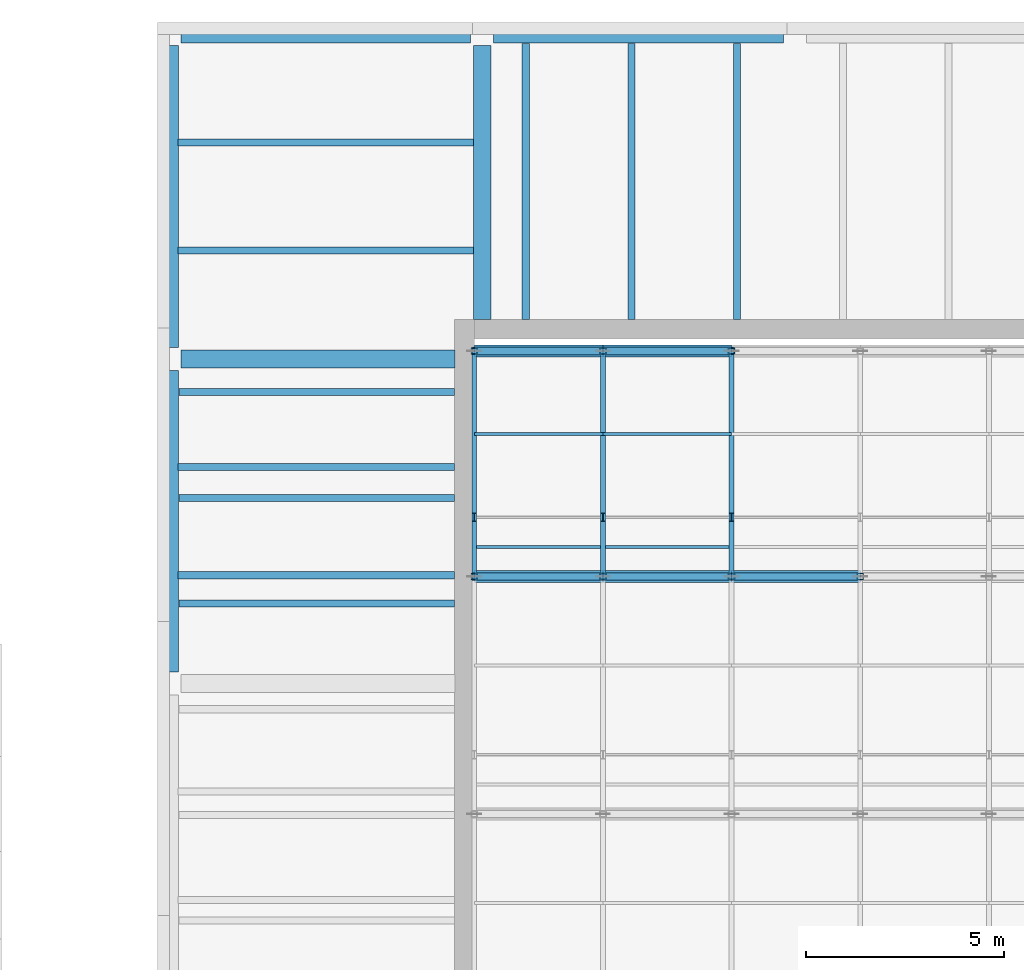
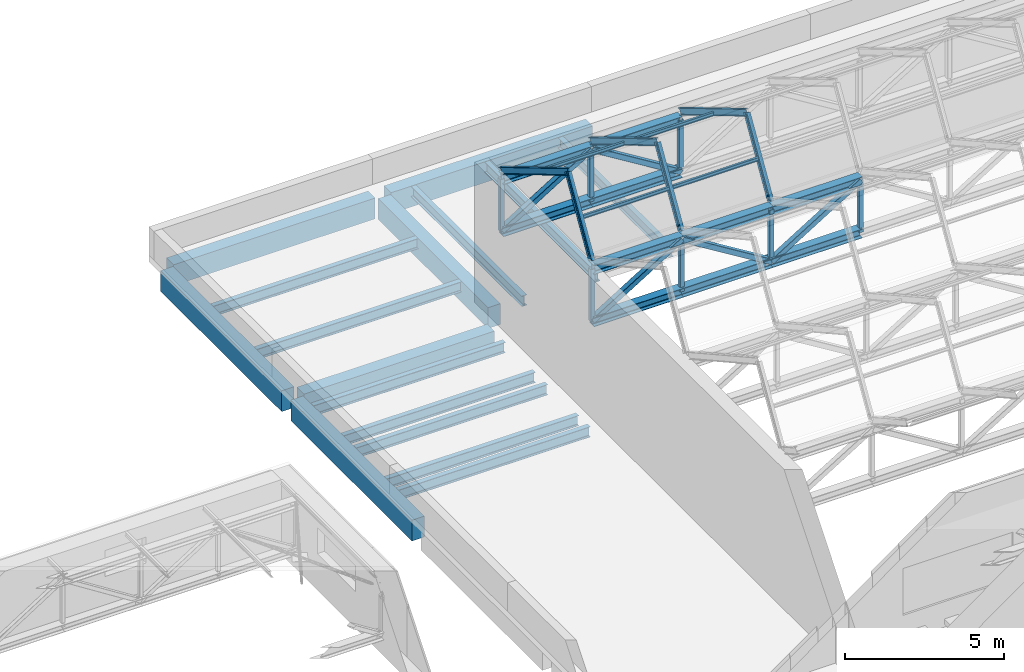
# One storey, part 53 of 132: 32 members, 16 beams.
"""IFC4 building model written with IfcOpenShell, lengths in metres."""

from ifc_helpers import new_model, si_unit, direction, frame, origin, origin_2d, place, context, subcontext, project, spatial, rectangle, hollow_rectangle, i_section, extrude, material, material_profile, profile_set, type_object, element, save


model = new_model("IFC4")

# Units and contexts
model_context = context("Model", 3, precision=1e-05, world=origin(), true_north=direction((0.0, 1.0)))
body_context = subcontext(model_context, "Body", "Model", "MODEL_VIEW")
ifc_project = project(units=[si_unit("LENGTHUNIT", "METRE"), si_unit("AREAUNIT", "SQUARE_METRE"), si_unit("VOLUMEUNIT", "CUBIC_METRE"), si_unit("PLANEANGLEUNIT", "RADIAN"), si_unit("MASSUNIT", "GRAM", prefix="KILO")], contexts=[model_context])

# Site, building, storey
site_placement = place(None, origin())
site = spatial("IfcSite", under=ifc_project, at=site_placement, CompositionType="ELEMENT")
building_placement = place(site_placement, origin())
building = spatial("IfcBuilding", under=site, at=building_placement, Name="Lunette Opera House", CompositionType="ELEMENT")
storey_placement = place(building_placement, frame((0.0, 0.0, 17.0)))
storey = spatial("IfcBuildingStorey", under=building, at=storey_placement, Name="L03", CompositionType="ELEMENT", Elevation=17.0)

# Members
ifc_material_1 = material(Name="Steel S355", Category="steel")
ifc_material_profile_1 = material_profile(ifc_material_1, i_section(OverallWidth=0.300048828125, OverallDepth=0.35009765625, WebThickness=0.010009765625, FlangeThickness=0.017578125, FilletRadius=0.027099609375, at=origin_2d()), Name="HEA 360")
ifc_profile_set_1 = profile_set([ifc_material_profile_1], Name="Steel S355")
member_type_1 = type_object("IfcMemberType", Name="CHORD HEA 360", PredefinedType="CHORD", material=ifc_profile_set_1)
for number, where, z_axis, x_axis, name in (
    (1, (144.0, 122.0, 5.205078125), (1.0, 0.0, 0.0), (0.0, 1.0, 0.0), "mem-WW-L03-WW-TR04-TC1"),
    (2, (144.0, 122.0, 3.205078125), (1.0, 0.0, 0.0), (0.0, 1.0, 0.0), "mem-WW-L03-WW-TR04-BC1"),
    (3, (147.25, 122.0, 5.205078125), (1.0, 0.0, 0.0), (0.0, 1.0, 0.0), "mem-WW-L03-WW-TR04-TC2"),
    (4, (147.25, 122.0, 3.205078125), (1.0, 0.0, 0.0), (0.0, 1.0, 0.0), "mem-WW-L03-WW-TR04-BC2"),
    (5, (150.5, 122.0, 5.205078125), (1.0, 0.0, 0.0), (0.0, 1.0, 0.0), "mem-WW-L03-WW-TR04-TC3"),
    (6, (150.5, 122.0, 3.205078125), (1.0, 0.0, 0.0), (0.0, 1.0, 0.0), "mem-WW-L03-WW-TR04-BC3"),
    (7, (144.0, 127.699951171875, 5.205078125), (1.0, 0.0, 0.0), (0.0, 1.0, 0.0), "mem-WW-L03-WW-TR05-TC1"),
    (8, (144.0, 127.699951171875, 3.205078125), (1.0, 0.0, 0.0), (0.0, 1.0, 0.0), "mem-WW-L03-WW-TR05-BC1"),
    (9, (147.25, 127.699951171875, 5.205078125), (1.0, 0.0, 0.0), (0.0, 1.0, 0.0), "mem-WW-L03-WW-TR05-TC2"),
    (10, (147.25, 127.699951171875, 3.205078125), (1.0, 0.0, 0.0), (0.0, 1.0, 0.0), "mem-WW-L03-WW-TR05-BC2"),
):
    element("IfcMember", number, at=place(storey_placement, frame(where, z_axis=z_axis, x_axis=x_axis)), inside=storey, type_object=member_type_1, Name=name, PredefinedType="CHORD", context=body_context, shape_type="SweptSolid", body=[
        extrude(i_section(OverallWidth=0.300048828125, OverallDepth=0.35009765625, WebThickness=0.010009765625, FlangeThickness=0.017578125, FilletRadius=0.027099609375, at=origin_2d()), origin(), (0.0, 0.0, 1.0), 3.25),
    ])
ifc_material_2 = material(Name="Steel S355", Category="steel")
ifc_material_profile_2 = material_profile(ifc_material_2, hollow_rectangle(XDim=0.199951171875, YDim=0.199951171875, WallThickness=0.008056640625, InnerFilletRadius=0.008056640625, OuterFilletRadius=0.01611328125, at=origin_2d()), Name="RHS 200X200X8")
ifc_profile_set_2 = profile_set([ifc_material_profile_2], Name="Steel S355")
member_type_2 = type_object("IfcMemberType", Name="DIAGONAL RHS 200X200X8", PredefinedType="BRACE", material=ifc_profile_set_2)
for number, where, z_axis, x_axis, name in (
    (11, (144.0, 122.0, 3.205078125), (0.851658316705, 0.0, 0.524097425664), (0.0, 1.0, 0.0), "mem-WW-L03-WW-TR04-TD1"),
    (12, (147.25, 122.0, 5.205078125), (0.851658316705, 0.0, -0.524097425664), (0.0, 1.0, 0.0), "mem-WW-L03-WW-TR04-TD2"),
    (13, (150.5, 122.0, 3.205078125), (0.851658316705, 0.0, 0.524097425664), (0.0, 1.0, 0.0), "mem-WW-L03-WW-TR04-TD3"),
    (14, (144.0, 127.699951171875, 3.205078125), (0.851658316705, 0.0, 0.524097425664), (0.0, 1.0, 0.0), "mem-WW-L03-WW-TR05-TD1"),
    (15, (147.25, 127.699951171875, 5.205078125), (0.851658316705, 0.0, -0.524097425664), (0.0, 1.0, 0.0), "mem-WW-L03-WW-TR05-TD2"),
):
    element("IfcMember", number, at=place(storey_placement, frame(where, z_axis=z_axis, x_axis=x_axis)), inside=storey, type_object=member_type_2, Name=name, PredefinedType="BRACE", context=body_context, shape_type="SweptSolid", body=[
        extrude(hollow_rectangle(XDim=0.199951171875, YDim=0.199951171875, WallThickness=0.008056640625, InnerFilletRadius=0.008056640625, OuterFilletRadius=0.01611328125, at=origin_2d()), origin(), (0.0, 0.0, 1.0), 3.816162109375),
    ])
ifc_material_3 = material(Name="Steel S355", Category="steel")
ifc_material_profile_3 = material_profile(ifc_material_3, i_section(OverallWidth=0.072998046875, OverallDepth=0.139892578125, WebThickness=0.004638671875, FlangeThickness=0.0068359375, FilletRadius=0.007080078125, at=origin_2d()), Name="IPE 140")
ifc_profile_set_3 = profile_set([ifc_material_profile_3], Name="Steel S355")
member_type_3 = type_object("IfcMemberType", Name="PURLIN IPE 140", PredefinedType="PURLIN", material=ifc_profile_set_3)
for number, where, z_axis, x_axis, name in (
    (16, (144.0, 122.75, 6.679931640625), (1.0, 0.0, 0.0), (0.0, 1.0, 0.0), "mem-WW-L03-WW-PN4-1A"),
    (17, (144.0, 125.60009765625, 6.679931640625), (1.0, 0.0, 0.0), (0.0, 1.0, 0.0), "mem-WW-L03-WW-PN4-1B"),
    (18, (147.25, 122.75, 6.679931640625), (1.0, 0.0, 0.0), (0.0, 1.0, 0.0), "mem-WW-L03-WW-PN4-2A"),
    (19, (147.25, 125.60009765625, 6.679931640625), (1.0, 0.0, 0.0), (0.0, 1.0, 0.0), "mem-WW-L03-WW-PN4-2B"),
):
    element("IfcMember", number, at=place(storey_placement, frame(where, z_axis=z_axis, x_axis=x_axis)), inside=storey, type_object=member_type_3, Name=name, PredefinedType="PURLIN", context=body_context, shape_type="SweptSolid", body=[
        extrude(i_section(OverallWidth=0.072998046875, OverallDepth=0.139892578125, WebThickness=0.004638671875, FlangeThickness=0.0068359375, FilletRadius=0.007080078125, at=origin_2d()), origin(), (0.0, 0.0, 1.0), 3.25),
    ])
ifc_material_4 = material(Name="Steel S355", Category="steel")
ifc_material_profile_4 = material_profile(ifc_material_4, i_section(OverallWidth=0.1201171875, OverallDepth=0.239990234375, WebThickness=0.006103515625, FlangeThickness=0.009765625, FilletRadius=0.014892578125, at=origin_2d()), Name="IPE 240")
ifc_profile_set_4 = profile_set([ifc_material_profile_4], Name="Steel S355")
member_type_4 = type_object("IfcMemberType", Name="RAFTER IPE 240", PredefinedType="RAFTER", material=ifc_profile_set_4)
member_1_placement = place(storey_placement, frame((144.0, 122.0, 5.5), z_axis=(0.0, 0.514495755428, 0.857492925713), x_axis=(-1.0, 0.0, 0.0)))
element("IfcMember", 20, at=member_1_placement, inside=storey, type_object=member_type_4, Name="mem-WW-L03-WW-RF4-1A", PredefinedType="RAFTER", context=body_context, shape_type="SweptSolid", body=[
    extrude(i_section(OverallWidth=0.1201171875, OverallDepth=0.239990234375, WebThickness=0.006103515625, FlangeThickness=0.009765625, FilletRadius=0.014892578125, at=origin_2d()), origin(), (0.0, 0.0, 1.0), 2.91552734375),
])
member_2_placement = place(storey_placement, frame((144.0, 123.5, 8.0), z_axis=(0.0, 0.859290270856, -0.511488250512), x_axis=(-1.0, 0.0, 0.0)))
element("IfcMember", 21, at=member_2_placement, inside=storey, type_object=member_type_4, Name="mem-WW-L03-WW-RF4-1B", PredefinedType="RAFTER", context=body_context, shape_type="SweptSolid", body=[
    extrude(i_section(OverallWidth=0.1201171875, OverallDepth=0.239990234375, WebThickness=0.006103515625, FlangeThickness=0.009765625, FilletRadius=0.014892578125, at=origin_2d()), origin(), (0.0, 0.0, 1.0), 4.8876953125),
])
member_3_placement = place(storey_placement, frame((147.25, 122.0, 5.5), z_axis=(0.0, 0.514495755428, 0.857492925713), x_axis=(-1.0, 0.0, 0.0)))
element("IfcMember", 22, at=member_3_placement, inside=storey, type_object=member_type_4, Name="mem-WW-L03-WW-RF4-2A", PredefinedType="RAFTER", context=body_context, shape_type="SweptSolid", body=[
    extrude(i_section(OverallWidth=0.1201171875, OverallDepth=0.239990234375, WebThickness=0.006103515625, FlangeThickness=0.009765625, FilletRadius=0.014892578125, at=origin_2d()), origin(), (0.0, 0.0, 1.0), 2.91552734375),
])
member_4_placement = place(storey_placement, frame((147.25, 123.5, 8.0), z_axis=(0.0, 0.859290270856, -0.511488250512), x_axis=(-1.0, 0.0, 0.0)))
element("IfcMember", 23, at=member_4_placement, inside=storey, type_object=member_type_4, Name="mem-WW-L03-WW-RF4-2B", PredefinedType="RAFTER", context=body_context, shape_type="SweptSolid", body=[
    extrude(i_section(OverallWidth=0.1201171875, OverallDepth=0.239990234375, WebThickness=0.006103515625, FlangeThickness=0.009765625, FilletRadius=0.014892578125, at=origin_2d()), origin(), (0.0, 0.0, 1.0), 4.8876953125),
])
member_5_placement = place(storey_placement, frame((150.5, 122.0, 5.5), z_axis=(0.0, 0.514495755428, 0.857492925713), x_axis=(-1.0, 0.0, 0.0)))
element("IfcMember", 24, at=member_5_placement, inside=storey, type_object=member_type_4, Name="mem-WW-L03-WW-RF4-3A", PredefinedType="RAFTER", context=body_context, shape_type="SweptSolid", body=[
    extrude(i_section(OverallWidth=0.1201171875, OverallDepth=0.239990234375, WebThickness=0.006103515625, FlangeThickness=0.009765625, FilletRadius=0.014892578125, at=origin_2d()), origin(), (0.0, 0.0, 1.0), 2.91552734375),
])
member_6_placement = place(storey_placement, frame((150.5, 123.5, 8.0), z_axis=(0.0, 0.859290270856, -0.511488250512), x_axis=(-1.0, 0.0, 0.0)))
element("IfcMember", 25, at=member_6_placement, inside=storey, type_object=member_type_4, Name="mem-WW-L03-WW-RF4-3B", PredefinedType="RAFTER", context=body_context, shape_type="SweptSolid", body=[
    extrude(i_section(OverallWidth=0.1201171875, OverallDepth=0.239990234375, WebThickness=0.006103515625, FlangeThickness=0.009765625, FilletRadius=0.014892578125, at=origin_2d()), origin(), (0.0, 0.0, 1.0), 4.8876953125),
])

# Beams
ifc_material_5 = material(Name="Concrete C35/45", Category="concrete")
ifc_material_profile_5 = material_profile(ifc_material_5, rectangle(XDim=0.449951171875, YDim=0.800048828125, at=origin_2d()), Name="RC BEAM 450X800")
ifc_profile_set_5 = profile_set([ifc_material_profile_5], Name="Concrete C35/45")
beam_type_1 = type_object("IfcBeamType", Name="RC BEAM 450X800", PredefinedType="BEAM", material=ifc_profile_set_5)
for number, where, z_axis, x_axis, name in (
    (26, (136.300048828125, 119.590087890625, -0.64990234375), (0.0, 1.0, 0.0), (-1.0, 0.0, 0.0), "beam-WW-L03-L03-GY05"),
    (27, (136.300048828125, 127.7900390625, -0.64990234375), (0.0, 1.0, 0.0), (-1.0, 0.0, 0.0), "beam-WW-L03-L03-GY06"),
):
    element("IfcBeam", number, at=place(storey_placement, frame(where, z_axis=z_axis, x_axis=x_axis)), inside=storey, type_object=beam_type_1, Name=name, PredefinedType="BEAM", context=body_context, shape_type="SweptSolid", body=[
        extrude(rectangle(XDim=0.449951171875, YDim=0.800048828125, at=origin_2d()), origin(), (0.0, 0.0, 1.0), 7.619873046875),
    ])
for number, where, z_axis, x_axis, name in (
    (28, (144.199951171875, 128.489990234375, -0.64990234375), (0.0, 1.0, 0.0), (-1.0, 0.0, 0.0), "beam-WW-L03-L03-GY16"),
    (29, (136.590087890625, 127.5, -0.64990234375), (1.0, 0.0, 0.0), (0.0, 1.0, 0.0), "beam-WW-L03-L03-GX06"),
):
    element("IfcBeam", number, at=place(storey_placement, frame(where, z_axis=z_axis, x_axis=x_axis)), inside=storey, type_object=beam_type_1, Name=name, PredefinedType="BEAM", context=body_context, shape_type="SweptSolid", body=[
        extrude(rectangle(XDim=0.449951171875, YDim=0.800048828125, at=origin_2d()), origin(), (0.0, 0.0, 1.0), 6.919921875),
    ])
beam_1_placement = place(storey_placement, frame((136.590087890625, 135.699951171875, -0.64990234375), z_axis=(1.0, 0.0, 0.0), x_axis=(0.0, 1.0, 0.0)))
element("IfcBeam", 30, at=beam_1_placement, inside=storey, type_object=beam_type_1, Name="beam-WW-L03-L03-GX07", PredefinedType="BEAM", context=body_context, shape_type="SweptSolid", body=[
    extrude(rectangle(XDim=0.449951171875, YDim=0.800048828125, at=origin_2d()), origin(), (0.0, 0.0, 1.0), 7.31982421875),
])
beam_2_placement = place(storey_placement, frame((144.489990234375, 135.699951171875, -0.64990234375), z_axis=(1.0, 0.0, 0.0), x_axis=(0.0, 1.0, 0.0)))
element("IfcBeam", 31, at=beam_2_placement, inside=storey, type_object=beam_type_1, Name="beam-WW-L03-L03-GX17", PredefinedType="BEAM", context=body_context, shape_type="SweptSolid", body=[
    extrude(rectangle(XDim=0.449951171875, YDim=0.800048828125, at=origin_2d()), origin(), (0.0, 0.0, 1.0), 7.320068359375),
])
ifc_material_6 = material(Name="Steel S355", Category="steel")
ifc_material_profile_6 = material_profile(ifc_material_6, i_section(OverallWidth=0.179931640625, OverallDepth=0.39990234375, WebThickness=0.008544921875, FlangeThickness=0.013427734375, FilletRadius=0.02099609375, at=origin_2d()), Name="IPE 400")
ifc_profile_set_6 = profile_set([ifc_material_profile_6], Name="Steel S355")
beam_type_2 = type_object("IfcBeamType", Name="STEEL BEAM IPE 400", PredefinedType="BEAM", material=ifc_profile_set_6)
for number, where, z_axis, x_axis, name in (
    (32, (136.514892578125, 122.032958984375, -0.449951171875), (1.0, 0.0, 0.0), (0.0, 1.0, 0.0), "beam-WW-L03-L03-SX051"),
    (33, (136.514892578125, 124.76708984375, -0.449951171875), (1.0, 0.0, 0.0), (0.0, 1.0, 0.0), "beam-WW-L03-L03-SX052"),
):
    element("IfcBeam", number, at=place(storey_placement, frame(where, z_axis=z_axis, x_axis=x_axis)), inside=storey, type_object=beam_type_2, Name=name, PredefinedType="BEAM", context=body_context, shape_type="SweptSolid", body=[
        extrude(i_section(OverallWidth=0.179931640625, OverallDepth=0.39990234375, WebThickness=0.008544921875, FlangeThickness=0.013427734375, FilletRadius=0.02099609375, at=origin_2d()), origin(), (0.0, 0.0, 1.0), 6.985107421875),
    ])
for number, where, z_axis, x_axis, name in (
    (34, (136.514892578125, 130.23291015625, -0.449951171875), (1.0, 0.0, 0.0), (0.0, 1.0, 0.0), "beam-WW-L03-L03-SX061"),
    (35, (136.514892578125, 132.967041015625, -0.449951171875), (1.0, 0.0, 0.0), (0.0, 1.0, 0.0), "beam-WW-L03-L03-SX062"),
):
    element("IfcBeam", number, at=place(storey_placement, frame(where, z_axis=z_axis, x_axis=x_axis)), inside=storey, type_object=beam_type_2, Name=name, PredefinedType="BEAM", context=body_context, shape_type="SweptSolid", body=[
        extrude(i_section(OverallWidth=0.179931640625, OverallDepth=0.39990234375, WebThickness=0.008544921875, FlangeThickness=0.013427734375, FilletRadius=0.02099609375, at=origin_2d()), origin(), (0.0, 0.0, 1.0), 7.47021484375),
    ])
for number, where, z_axis, x_axis, name in (
    (36, (145.300048828125, 128.5, -0.449951171875), (0.0, 1.0, 0.0), (-1.0, 0.0, 0.0), "beam-WW-L03-L03-RJN1441040"),
    (37, (147.969970703125, 128.5, -0.449951171875), (0.0, 1.0, 0.0), (-1.0, 0.0, 0.0), "beam-WW-L03-L03-RJN1441041"),
    (38, (150.639892578125, 128.5, -0.449951171875), (0.0, 1.0, 0.0), (-1.0, 0.0, 0.0), "beam-WW-L03-L03-RJN1441042"),
    (39, (143.5, 121.320068359375, -0.449951171875), (-1.0, 0.0, 0.0), (0.0, -1.0, 0.0), "beam-WW-L03-L03-RJW1441046"),
    (40, (143.5, 123.989990234375, -0.449951171875), (-1.0, 0.0, 0.0), (0.0, -1.0, 0.0), "beam-WW-L03-L03-RJW1441047"),
    (41, (143.5, 126.659912109375, -0.449951171875), (-1.0, 0.0, 0.0), (0.0, -1.0, 0.0), "beam-WW-L03-L03-RJW1441048"),
):
    element("IfcBeam", number, at=place(storey_placement, frame(where, z_axis=z_axis, x_axis=x_axis)), inside=storey, type_object=beam_type_2, Name=name, PredefinedType="BEAM", context=body_context, shape_type="SweptSolid", body=[
        extrude(i_section(OverallWidth=0.179931640625, OverallDepth=0.39990234375, WebThickness=0.008544921875, FlangeThickness=0.013427734375, FilletRadius=0.02099609375, at=origin_2d()), origin(), (0.0, 0.0, 1.0), 6.965087890625),
    ])

# Members
ifc_material_7 = material(Name="Steel S355", Category="steel")
ifc_material_profile_7 = material_profile(ifc_material_7, hollow_rectangle(XDim=0.159912109375, YDim=0.159912109375, WallThickness=0.008056640625, InnerFilletRadius=0.008056640625, OuterFilletRadius=0.01611328125, at=origin_2d()), Name="RHS 160X160X8")
ifc_profile_set_7 = profile_set([ifc_material_profile_7], Name="Steel S355")
member_type_5 = type_object("IfcMemberType", Name="VERTICAL RHS 160X160X8", PredefinedType="POST", material=ifc_profile_set_7)
for number, where, z_axis, x_axis, name in (
    (42, (144.0, 122.0, 3.205078125), (0.0, 0.0, 1.0), (1.0, 0.0, 0.0), "mem-WW-L03-WW-TR04-TV1"),
    (43, (147.25, 122.0, 3.205078125), (0.0, 0.0, 1.0), (1.0, 0.0, 0.0), "mem-WW-L03-WW-TR04-TV2"),
    (44, (150.5, 122.0, 3.205078125), (0.0, 0.0, 1.0), (1.0, 0.0, 0.0), "mem-WW-L03-WW-TR04-TV3"),
    (45, (153.75, 122.0, 3.205078125), (0.0, 0.0, 1.0), (1.0, 0.0, 0.0), "mem-WW-L03-WW-TR04-TV4"),
    (46, (144.0, 127.699951171875, 3.205078125), (0.0, 0.0, 1.0), (1.0, 0.0, 0.0), "mem-WW-L03-WW-TR05-TV1"),
    (47, (147.25, 127.699951171875, 3.205078125), (0.0, 0.0, 1.0), (1.0, 0.0, 0.0), "mem-WW-L03-WW-TR05-TV2"),
    (48, (150.5, 127.699951171875, 3.205078125), (0.0, 0.0, 1.0), (1.0, 0.0, 0.0), "mem-WW-L03-WW-TR05-TV3"),
):
    element("IfcMember", number, at=place(storey_placement, frame(where, z_axis=z_axis, x_axis=x_axis)), inside=storey, type_object=member_type_5, Name=name, PredefinedType="POST", context=body_context, shape_type="SweptSolid", body=[
        extrude(hollow_rectangle(XDim=0.159912109375, YDim=0.159912109375, WallThickness=0.008056640625, InnerFilletRadius=0.008056640625, OuterFilletRadius=0.01611328125, at=origin_2d()), origin(), (0.0, 0.0, 1.0), 2.0),
    ])

save(model, "model.ifc")
